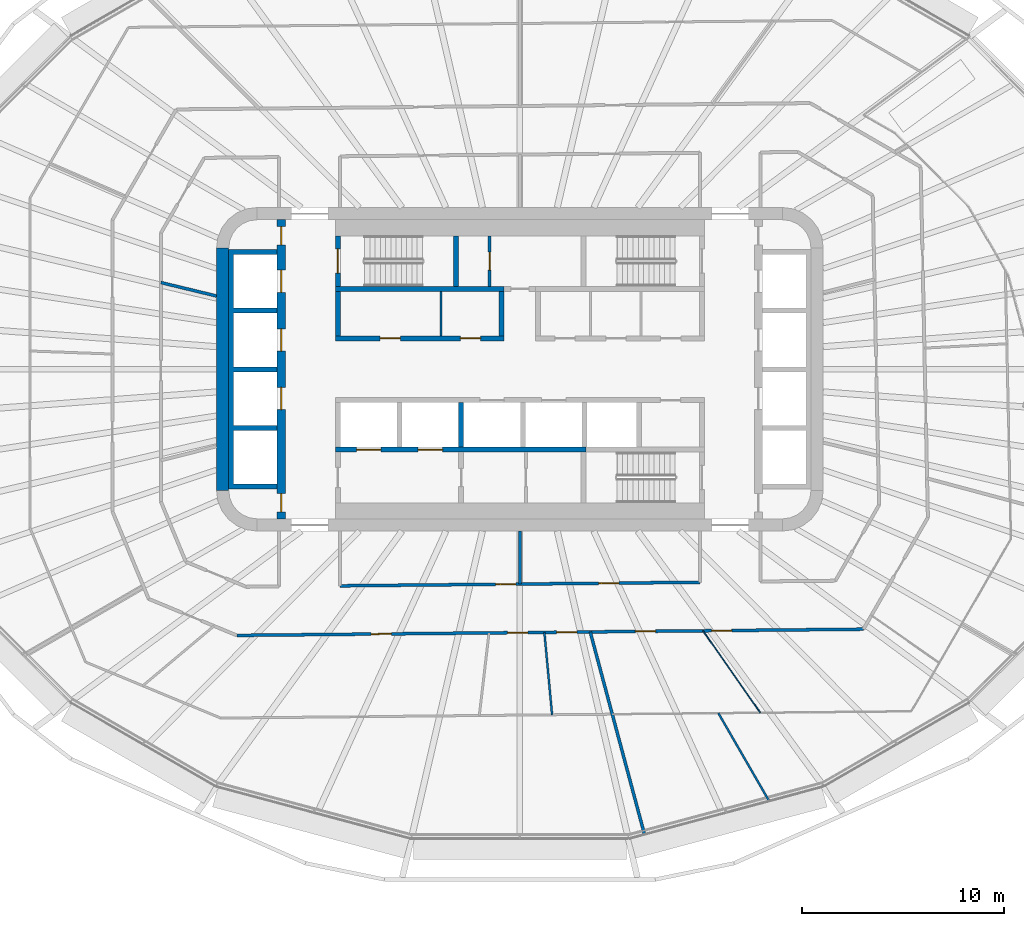
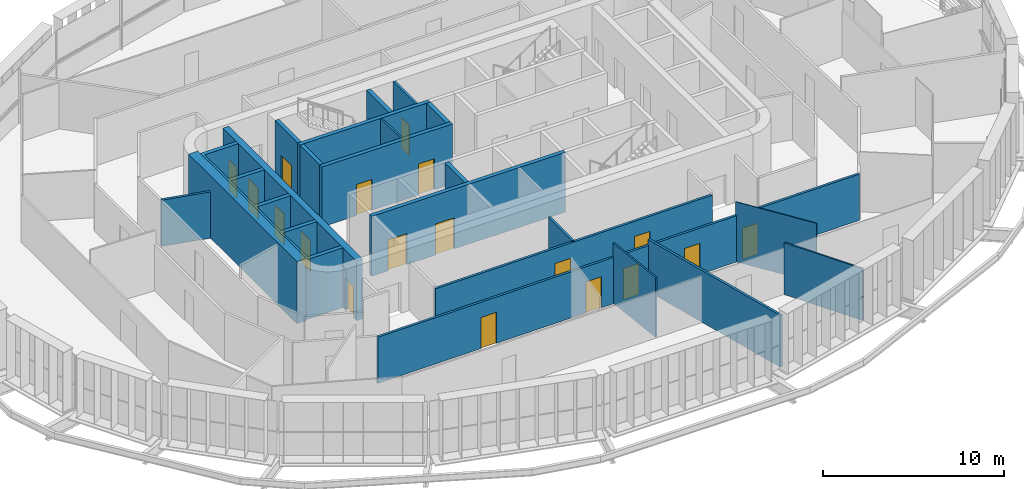
# One storey, part 13 of 24: 21 walls, 18 doors, 18 openings.
"""IFC4 building model written with IfcOpenShell, lengths in metres."""

import ifcopenshell
import ifcopenshell.guid

model = None  # the IFC model being written
_history = None  # IfcOwnerHistory: only IFC2X3 demands one
_inside = {}  # id of a spatial element -> (the spatial element, [elements in it])
_under = {}  # id of a project, library or spatial element -> (it, [spatial elements below it])
_declared = {}  # id of a project -> (the project, [libraries it declares])
_typed = {}  # id of a type object -> (the type object, [elements of that type])
_made_of = {}  # id of a material, layer set ... -> (it, [elements and type objects made of it])


def new_model(schema):
    """Start an empty IFC model of exactly this schema.

    Asked for "IFC4X3", IfcOpenShell would pick the latest addendum, in which some entities
    have other attributes; the version numbers below select the first issue.
    IFC2X3 requires an IfcOwnerHistory on every rooted entity: one is made here for all.
    """
    global model, _history
    if schema == "IFC4X3":
        model = ifcopenshell.file(schema_version=(4, 3, 0, 0))
    else:
        model = ifcopenshell.file(schema=schema)
    _inside.clear()
    _under.clear()
    _declared.clear()
    _typed.clear()
    _made_of.clear()
    _history = None
    if model.schema == "IFC2X3":
        org = make("IfcOrganization", Name="unknown")
        user = make(
            "IfcPersonAndOrganization",
            ThePerson=make("IfcPerson", FamilyName="unknown"),
            TheOrganization=org,
        )
        app = make(
            "IfcApplication",
            ApplicationDeveloper=org,
            Version="unknown",
            ApplicationFullName="unknown",
            ApplicationIdentifier="unknown",
        )
        _history = make(
            "IfcOwnerHistory",
            OwningUser=user,
            OwningApplication=app,
            ChangeAction="ADDED",
            CreationDate=0,
        )
    return model


def make(cls, **values):
    """One entity of the class cls with the attributes given. An attribute that is None is left unset."""
    return model.create_entity(
        cls, **{name: value for name, value in values.items() if value is not None}
    )


def rooted(cls, **values):
    """An entity with a GlobalId (a new one), such as an element, a storey or a relation."""
    return make(cls, GlobalId=ifcopenshell.guid.new(), OwnerHistory=_history, **values)


def si_unit(unit_type, name, prefix=None):
    """IfcSIUnit, for example si_unit("LENGTHUNIT", "METRE", prefix="MILLI")."""
    return make("IfcSIUnit", UnitType=unit_type, Prefix=prefix, Name=name)


def assignment(units):
    """IfcUnitAssignment: the units of a project."""
    return None if units is None else make("IfcUnitAssignment", Units=units)


def point(xyz):
    """IfcCartesianPoint."""
    return None if xyz is None else make("IfcCartesianPoint", Coordinates=xyz)


def direction(xyz):
    """IfcDirection."""
    return None if xyz is None else make("IfcDirection", DirectionRatios=xyz)


def frame(location, z_axis=None, x_axis=None):
    """IfcAxis2Placement3D, a coordinate frame: its origin and axes. An axis left out is left unset."""
    return make(
        "IfcAxis2Placement3D",
        Location=point(location),
        Axis=direction(z_axis),
        RefDirection=direction(x_axis),
    )


def frame_2d(location, x_axis=None):
    """IfcAxis2Placement2D, a coordinate frame in the plane: its origin and x axis."""
    return make(
        "IfcAxis2Placement2D", Location=point(location), RefDirection=direction(x_axis)
    )


def origin():
    """The frame at (0, 0, 0) with its axes left unset."""
    return frame((0.0, 0.0, 0.0))


def place(relative_to, where):
    """IfcLocalPlacement: puts the frame where relative to a parent placement (None: the world)."""
    return make(
        "IfcLocalPlacement", PlacementRelTo=relative_to, RelativePlacement=where
    )


def context(
    kind, dimensions, precision=None, world=None, true_north=None, identifier=None
):
    """IfcGeometricRepresentationContext, for example the 3D "Model" context."""
    return make(
        "IfcGeometricRepresentationContext",
        ContextIdentifier=identifier,
        ContextType=kind,
        CoordinateSpaceDimension=dimensions,
        Precision=precision,
        WorldCoordinateSystem=world,
        TrueNorth=true_north,
    )


def subcontext(parent, identifier, kind, view, scale=None):
    """IfcGeometricRepresentationSubContext, for example "Body" below "Model"."""
    return make(
        "IfcGeometricRepresentationSubContext",
        ContextIdentifier=identifier,
        ContextType=kind,
        ParentContext=parent,
        TargetScale=scale,
        TargetView=view,
    )


def project(units=None, contexts=None):
    """IfcProject with its units and contexts."""
    return rooted(
        "IfcProject",
        Name="project",
        RepresentationContexts=contexts,
        UnitsInContext=assignment(units),
    )


def spatial(cls, under=None, at=None, **own):
    """A site, building, storey or space (cls), placed at a placement, below another one or the project."""
    s = rooted(cls, ObjectPlacement=at, **own)
    if under is not None:
        _under.setdefault(under.id(), (under, []))[1].append(s)
    return s


def polyline(points):
    """IfcPolyline through the points."""
    return make("IfcPolyline", Points=[point(p) for p in points])


def profile(cls, at=None, kind="AREA", **sizes):
    """A parametric profile (cls). Its sizes go by their IFC names, for example OverallWidth=200.0."""
    return make(cls, ProfileType=kind, Position=at, **sizes)


def rectangle(**sizes):
    """IfcRectangleProfileDef."""
    return profile("IfcRectangleProfileDef", **sizes)


def outline(outer, holes=None, kind="AREA"):
    """IfcArbitraryClosedProfileDef: a profile drawn as a closed curve; with holes, ...WithVoids."""
    if holes is None:
        return make("IfcArbitraryClosedProfileDef", ProfileType=kind, OuterCurve=outer)
    return make(
        "IfcArbitraryProfileDefWithVoids",
        ProfileType=kind,
        OuterCurve=outer,
        InnerCurves=holes,
    )


def extrude(swept, where, along, depth):
    """IfcExtrudedAreaSolid: the profile swept, set in the frame where, extruded along a direction by depth."""
    return make(
        "IfcExtrudedAreaSolid",
        SweptArea=swept,
        Position=where,
        ExtrudedDirection=direction(along),
        Depth=depth,
    )


def shape(context_of_items, identifier, shape_type, items):
    """IfcShapeRepresentation: the items that make up one representation, for example the "Body"."""
    return make(
        "IfcShapeRepresentation",
        ContextOfItems=context_of_items,
        RepresentationIdentifier=identifier,
        RepresentationType=shape_type,
        Items=items,
    )


def material(Name=None, Category=None):
    """IfcMaterial."""
    return make("IfcMaterial", Name=Name, Category=Category)


def layer(
    of_material, thickness, ventilated=None, Name=None, Category=None, Priority=None
):
    """IfcMaterialLayer: one layer of a wall or slab, of a material (None: an air gap)."""
    return make(
        "IfcMaterialLayer",
        Material=of_material,
        LayerThickness=thickness,
        IsVentilated=ventilated,
        Name=Name,
        Category=Category,
        Priority=Priority,
    )


def layer_set(layers, Name=None):
    """IfcMaterialLayerSet."""
    return make("IfcMaterialLayerSet", MaterialLayers=layers, LayerSetName=Name)


def made_of(thing, what):
    """Note that an element or type object is made of a material, layer set ...; save() writes the relation."""
    if what is not None:
        _made_of.setdefault(what.id(), (what, []))[1].append(thing)
    return thing


def type_object(cls, material=None, **own):
    """A type object (cls), such as IfcWallType, which elements share."""
    return made_of(rooted(cls, **own), material)


def element(
    cls,
    number,
    at=None,
    inside=None,
    cuts=None,
    type_object=None,
    material=None,
    context=None,
    identifier="Body",
    shape_type=None,
    held_by="IfcProductDefinitionShape",
    body=None,
    shapes=None,
    **own,
):
    """One element of the class cls, such as IfcWall. Its Tag is "e" and its number.

    at: its placement. inside: the storey or other place that contains it. cuts: it is an
    opening in that element (IfcRelVoidsElement). A single representation is given by context,
    identifier, shape_type and body (its items); several are given by shapes. held_by: the class
    of the entity that holds the representations. save() writes the other relations.
    """
    e = rooted(cls, Tag="e%d" % number, ObjectPlacement=at, **own)
    if body is not None:
        shapes = [shape(context, identifier, shape_type, body)]
    if shapes is not None:
        e.Representation = make(held_by, Representations=shapes)
    if inside is not None:
        _inside.setdefault(inside.id(), (inside, []))[1].append(e)
    if cuts is not None:
        rooted(
            "IfcRelVoidsElement", RelatingBuildingElement=cuts, RelatedOpeningElement=e
        )
    if type_object is not None:
        _typed.setdefault(type_object.id(), (type_object, []))[1].append(e)
    return made_of(e, material)


def fill(opening, filler):
    """IfcRelFillsElement: the door or window that sits in an opening."""
    return rooted(
        "IfcRelFillsElement",
        RelatingOpeningElement=opening,
        RelatedBuildingElement=filler,
    )


def aggregate(whole, parts):
    """IfcRelAggregates: a whole, such as a stair, and the parts it consists of."""
    return rooted("IfcRelAggregates", RelatingObject=whole, RelatedObjects=parts)


def save(model, path):
    """Write the relations noted so far, then the file.

    IfcRelAggregates (storeys below a building ...), IfcRelContainedInSpatialStructure (elements
    in a storey), IfcRelDefinesByType, IfcRelAssociatesMaterial and IfcRelDeclares: one each for
    every whole, place, type object, material and project.
    """
    for whole, parts in _under.values():
        aggregate(whole, parts)
    for where, things in _inside.values():
        rooted(
            "IfcRelContainedInSpatialStructure",
            RelatedElements=things,
            RelatingStructure=where,
        )
    for kind, things in _typed.values():
        rooted("IfcRelDefinesByType", RelatedObjects=things, RelatingType=kind)
    for what, things in _made_of.values():
        rooted("IfcRelAssociatesMaterial", RelatedObjects=things, RelatingMaterial=what)
    for by, libraries in _declared.values():
        rooted("IfcRelDeclares", RelatingContext=by, RelatedDefinitions=libraries)
    model.write(path)


model = new_model("IFC4")

# Units and contexts
model_context = context("Model", 3, precision=1e-05, world=origin(), true_north=direction((0.0, 1.0)))
body_context = subcontext(model_context, "Body", "Model", "MODEL_VIEW")
ifc_project = project(units=[si_unit("LENGTHUNIT", "METRE"), si_unit("AREAUNIT", "SQUARE_METRE"), si_unit("VOLUMEUNIT", "CUBIC_METRE"), si_unit("PLANEANGLEUNIT", "RADIAN"), si_unit("MASSUNIT", "GRAM", prefix="KILO")], contexts=[model_context])

# Site, building, storey
site_placement = place(None, origin())
site = spatial("IfcSite", under=ifc_project, at=site_placement, CompositionType="ELEMENT")
building_placement = place(site_placement, origin())
building = spatial("IfcBuilding", under=site, at=building_placement, Name="Sahrelin Media Tower", CompositionType="ELEMENT")
storey_placement = place(building_placement, frame((0.0, 0.0, 67.199951171875)))
storey = spatial("IfcBuildingStorey", under=building, at=storey_placement, Name="L11", CompositionType="ELEMENT", Elevation=67.199951171875)

# Wall
ifc_material_1 = material(Name="Concrete C60/75", Category="concrete")
ifc_layer_1 = layer(ifc_material_1, 0.60009765625)
ifc_layer_set_1 = layer_set([ifc_layer_1], Name="Core wall 600")
wall_type_1 = type_object("IfcWallType", Name="Core wall 600", PredefinedType="SHEAR", material=ifc_layer_set_1)
wall_1_placement = place(storey_placement, frame((-14.699951171875, -6.0, 0.0), z_axis=(0.0, 0.0, 1.0), x_axis=(0.0, 1.0, 0.0)))
element("IfcWall", 1, at=wall_1_placement, inside=storey, type_object=wall_type_1, Name="Core wall W L11", PredefinedType="SHEAR", context=body_context, shape_type="SweptSolid", body=[
    extrude(rectangle(XDim=12.0, YDim=0.60009765625, at=frame_2d((6.0, 0.0))), origin(), (0.0, 0.0, 1.0), 4.199951171875),
])

# Wall, openings, doors
ifc_material_2 = material(Name="Fire-rated gypsum board partition")
ifc_layer_2 = layer(ifc_material_2, 0.25)
ifc_layer_set_2 = layer_set([ifc_layer_2], Name="Fire-rated lobby wall 250")
wall_type_2 = type_object("IfcWallType", Name="Fire-rated lobby wall 250", PredefinedType="PARTITIONING", material=ifc_layer_set_2)
wall_2_placement = place(storey_placement, frame((-9.125, 1.52490234375, 0.0), z_axis=(0.0, 0.0, 1.0), x_axis=(1.0, 0.0, 0.0)))
wall_2 = element("IfcWall", 2, at=wall_2_placement, inside=storey, type_object=wall_type_2, Name="Core lobby wall", PredefinedType="PARTITIONING", context=body_context, shape_type="SweptSolid", body=[
    extrude(rectangle(XDim=8.35009765625, YDim=0.25, at=frame_2d((4.175048828125, 0.0))), origin(), (0.0, 0.0, 1.0), 4.050048828125),
])
opening_1_placement = place(wall_2_placement, frame((2.21240234375, 0.0, 0.0)))
opening_1 = element("IfcOpeningElement", 3, at=opening_1_placement, cuts=wall_2, Name="Opening L11-D09", PredefinedType="OPENING", context=body_context, shape_type="SweptSolid", body=[
    extrude(rectangle(XDim=1.0, YDim=2.10009765625, at=frame_2d((0.5, 1.050048828125))), frame((0.0, 0.125, 0.0), z_axis=(0.0, -1.0, 0.0), x_axis=(1.0, 0.0, 0.0)), (0.0, 0.0, 1.0), 0.25),
])
opening_2_placement = place(wall_2_placement, frame((6.1875, 0.0, 0.0)))
opening_2 = element("IfcOpeningElement", 4, at=opening_2_placement, cuts=wall_2, Name="Opening L11-D10", PredefinedType="OPENING", context=body_context, shape_type="SweptSolid", body=[
    extrude(rectangle(XDim=1.0, YDim=2.10009765625, at=frame_2d((0.5, 1.050048828125))), frame((0.0, 0.125, 0.0), z_axis=(0.0, -1.0, 0.0), x_axis=(1.0, 0.0, 0.0)), (0.0, 0.0, 1.0), 0.25),
])
ifc_material_3 = material(Name="Steel fire door leaf", Category="steel")
door_type_1 = type_object("IfcDoorType", Name="Fire door 1000 x 2100 EI 60", OperationType="NOTDEFINED", PredefinedType="DOOR", material=ifc_material_3)
door_1_placement = place(opening_1_placement, origin())
door_1 = element("IfcDoor", 5, at=door_1_placement, inside=storey, type_object=door_type_1, Name="Core room door", OperationType="SINGLE_SWING_LEFT", OverallHeight=2.10009765625, OverallWidth=1.0, PredefinedType="DOOR", context=body_context, shape_type="SweptSolid", body=[
    extrude(rectangle(XDim=1.0, YDim=2.10009765625, at=frame_2d((0.5, 1.050048828125))), frame((0.0, 0.02490234375, 0.0), z_axis=(0.0, -1.0, 0.0), x_axis=(1.0, 0.0, 0.0)), (0.0, 0.0, 1.0), 0.050048828125),
])
fill(opening_1, door_1)
door_2_placement = place(opening_2_placement, origin())
door_2 = element("IfcDoor", 6, at=door_2_placement, inside=storey, type_object=door_type_1, Name="Core room door", OperationType="SINGLE_SWING_LEFT", OverallHeight=2.10009765625, OverallWidth=1.0, PredefinedType="DOOR", context=body_context, shape_type="SweptSolid", body=[
    extrude(rectangle(XDim=1.0, YDim=2.10009765625, at=frame_2d((0.5, 1.050048828125))), frame((0.0, 0.02490234375, 0.0), z_axis=(0.0, -1.0, 0.0), x_axis=(1.0, 0.0, 0.0)), (0.0, 0.0, 1.0), 0.050048828125),
])
fill(opening_2, door_2)

# Walls
for number, where, z_axis, x_axis, name in (
    (7, (-9.0, 1.64990234375, 0.0), (0.0, 0.0, 1.0), (0.0, 1.0, 0.0), "Core lobby wall"),
    (8, (-0.89990234375, 1.64990234375, 0.0), (0.0, 0.0, 1.0), (0.0, 1.0, 0.0), "Core lobby wall"),
):
    element("IfcWall", number, at=place(storey_placement, frame(where, z_axis=z_axis, x_axis=x_axis)), inside=storey, type_object=wall_type_2, Name=name, PredefinedType="PARTITIONING", context=body_context, shape_type="SweptSolid", body=[
        extrude(rectangle(XDim=2.2001953125, YDim=0.25, at=frame_2d((1.10009765625, 0.0))), origin(), (0.0, 0.0, 1.0), 4.050048828125),
    ])
ifc_layer_3 = layer(ifc_material_2, 0.10009765625)
ifc_layer_set_3 = layer_set([ifc_layer_3], Name="Fire-rated partition 100")
wall_type_3 = type_object("IfcWallType", Name="Fire-rated partition 100", PredefinedType="PARTITIONING", material=ifc_layer_set_3)
wall_3_placement = place(storey_placement, frame((-3.89990234375, 1.64990234375, 0.0), z_axis=(0.0, 0.0, 1.0), x_axis=(0.0, 1.0, 0.0)))
element("IfcWall", 9, at=wall_3_placement, inside=storey, type_object=wall_type_3, Name="Core room partition", PredefinedType="PARTITIONING", context=body_context, shape_type="SweptSolid", body=[
    extrude(rectangle(XDim=2.2001953125, YDim=0.10009765625, at=frame_2d((1.10009765625, 0.0))), origin(), (0.0, 0.0, 1.0), 4.050048828125),
])

# Wall, opening, door
ifc_layer_4 = layer(ifc_material_2, 0.14990234375)
ifc_layer_set_4 = layer_set([ifc_layer_4], Name="Fire-rated partition 150")
wall_type_4 = type_object("IfcWallType", Name="Fire-rated partition 150", PredefinedType="PARTITIONING", material=ifc_layer_set_4)
wall_4_placement = place(storey_placement, frame((-1.5, 4.10009765625, 0.0), z_axis=(0.0, 0.0, 1.0), x_axis=(0.0, 1.0, 0.0)))
wall_4 = element("IfcWall", 10, at=wall_4_placement, inside=storey, type_object=wall_type_4, Name="Core room fire partition", PredefinedType="PARTITIONING", context=body_context, shape_type="SweptSolid", body=[
    extrude(rectangle(XDim=2.5, YDim=0.14990234375, at=frame_2d((1.25, 0.0))), origin(), (0.0, 0.0, 1.0), 4.050048828125),
])
opening_3_placement = place(wall_4_placement, frame((0.800048828125, 0.0, 0.0)))
opening_3 = element("IfcOpeningElement", 11, at=opening_3_placement, cuts=wall_4, Name="Opening L11-D07", PredefinedType="OPENING", context=body_context, shape_type="SweptSolid", body=[
    extrude(rectangle(XDim=0.89990234375, YDim=2.10009765625, at=frame_2d((0.449951171875, 1.050048828125))), frame((0.0, 0.074951171875, 0.0), z_axis=(0.0, -1.0, 0.0), x_axis=(1.0, 0.0, 0.0)), (0.0, 0.0, 1.0), 0.14990234375),
])
door_type_2 = type_object("IfcDoorType", Name="Fire door 900 x 2100 EI 60", OperationType="NOTDEFINED", PredefinedType="DOOR", material=ifc_material_3)
door_3_placement = place(opening_3_placement, origin())
door_3 = element("IfcDoor", 12, at=door_3_placement, inside=storey, type_object=door_type_2, Name="Core room door", OperationType="SINGLE_SWING_LEFT", OverallHeight=2.10009765625, OverallWidth=0.89990234375, PredefinedType="DOOR", context=body_context, shape_type="SweptSolid", body=[
    extrude(rectangle(XDim=0.89990234375, YDim=2.10009765625, at=frame_2d((0.449951171875, 1.050048828125))), frame((0.0, 0.02490234375, 0.0), z_axis=(0.0, -1.0, 0.0), x_axis=(1.0, 0.0, 0.0)), (0.0, 0.0, 1.0), 0.050048828125),
])
fill(opening_3, door_3)

# Walls
wall_5_placement = place(storey_placement, frame((3.47998046875, -12.987060546875, 0.0), z_axis=(0.0, 0.0, 1.0), x_axis=(0.25876666307, -0.96593986049, 0.0)))
element("IfcWall", 13, at=wall_5_placement, inside=storey, type_object=wall_type_4, Name="Wall", PredefinedType="PARTITIONING", context=body_context, shape_type="SweptSolid", body=[
    extrude(rectangle(XDim=10.37646484375, YDim=0.14990234375, at=frame_2d((5.188232421875, 0.0))), origin(), (0.0, 0.0, 1.0), 3.501708984375),
])
wall_6_placement = place(storey_placement, frame((-17.75, 4.2880859375, 0.0), z_axis=(0.0, 0.0, 1.0), x_axis=(0.972001384863, -0.234975121714, 0.0)))
element("IfcWall", 14, at=wall_6_placement, inside=storey, type_object=wall_type_4, Name="Wall", PredefinedType="PARTITIONING", context=body_context, shape_type="SweptSolid", body=[
    extrude(rectangle(XDim=2.8291015625, YDim=0.14990234375, at=frame_2d((1.41455078125, 0.0))), origin(), (0.0, 0.0, 1.0), 3.126953125),
])

# Wall, openings, doors
wall_7_placement = place(storey_placement, frame((-14.0, -13.159912109375, 0.0), z_axis=(0.0, 0.0, 1.0), x_axis=(0.999950971812, 0.009902220598, 0.0)))
wall_7 = element("IfcWall", 15, at=wall_7_placement, inside=storey, type_object=wall_type_4, Name="Wall", PredefinedType="PARTITIONING", context=body_context, shape_type="SweptSolid", body=[
    extrude(rectangle(XDim=30.991455078125, YDim=0.14990234375, at=frame_2d((15.49560546875, 0.0))), origin(), (0.0, 0.0, 1.0), 3.126953125),
])
opening_4_placement = place(wall_7_placement, frame((6.642822265625, 0.0, 0.0)))
opening_4 = element("IfcOpeningElement", 16, at=opening_4_placement, cuts=wall_7, Name="Opening L11-D38", PredefinedType="OPENING", context=body_context, shape_type="SweptSolid", body=[
    extrude(rectangle(XDim=1.0, YDim=2.10009765625, at=frame_2d((0.5, 1.050048828125))), frame((0.0, 0.074951171875, 0.0), z_axis=(0.0, -1.0, 0.0), x_axis=(1.0, 0.0, 0.0)), (0.0, 0.0, 1.0), 0.14990234375),
])
opening_5_placement = place(wall_7_placement, frame((13.3974609375, 0.0, 0.0)))
opening_5 = element("IfcOpeningElement", 17, at=opening_5_placement, cuts=wall_7, Name="Opening L11-D39", PredefinedType="OPENING", context=body_context, shape_type="SweptSolid", body=[
    extrude(rectangle(XDim=1.0, YDim=2.10009765625, at=frame_2d((0.5, 1.050048828125))), frame((0.0, 0.074951171875, 0.0), z_axis=(0.0, -1.0, 0.0), x_axis=(1.0, 0.0, 0.0)), (0.0, 0.0, 1.0), 0.14990234375),
])
opening_6_placement = place(wall_7_placement, frame((15.81640625, 0.0, 0.0)))
opening_6 = element("IfcOpeningElement", 18, at=opening_6_placement, cuts=wall_7, Name="Opening L11-D40", PredefinedType="OPENING", context=body_context, shape_type="SweptSolid", body=[
    extrude(rectangle(XDim=1.0, YDim=2.10009765625, at=frame_2d((0.5, 1.050048828125))), frame((0.0, 0.074951171875, 0.0), z_axis=(0.0, -1.0, 0.0), x_axis=(1.0, 0.0, 0.0)), (0.0, 0.0, 1.0), 0.14990234375),
])
opening_7_placement = place(wall_7_placement, frame((19.718017578125, 0.0, 0.0)))
opening_7 = element("IfcOpeningElement", 19, at=opening_7_placement, cuts=wall_7, Name="Opening L11-D42", PredefinedType="OPENING", context=body_context, shape_type="SweptSolid", body=[
    extrude(rectangle(XDim=1.0, YDim=2.10009765625, at=frame_2d((0.5, 1.050048828125))), frame((0.0, 0.074951171875, 0.0), z_axis=(0.0, -1.0, 0.0), x_axis=(1.0, 0.0, 0.0)), (0.0, 0.0, 1.0), 0.14990234375),
])
opening_8_placement = place(wall_7_placement, frame((23.4794921875, 0.0, 0.0)))
opening_8 = element("IfcOpeningElement", 20, at=opening_8_placement, cuts=wall_7, Name="Opening L11-D43", PredefinedType="OPENING", context=body_context, shape_type="SweptSolid", body=[
    extrude(rectangle(XDim=1.0, YDim=2.10009765625, at=frame_2d((0.5, 1.050048828125))), frame((0.0, 0.074951171875, 0.0), z_axis=(0.0, -1.0, 0.0), x_axis=(1.0, 0.0, 0.0)), (0.0, 0.0, 1.0), 0.14990234375),
])
door_4_placement = place(opening_4_placement, origin())
door_4 = element("IfcDoor", 21, at=door_4_placement, inside=storey, type_object=door_type_1, Name="Fire door", OperationType="SINGLE_SWING_LEFT", OverallHeight=2.10009765625, OverallWidth=1.0, PredefinedType="DOOR", context=body_context, shape_type="SweptSolid", body=[
    extrude(rectangle(XDim=1.0, YDim=2.10009765625, at=frame_2d((0.5, 1.050048828125))), frame((0.0, 0.02490234375, 0.0), z_axis=(0.0, -1.0, 0.0), x_axis=(1.0, 0.0, 0.0)), (0.0, 0.0, 1.0), 0.050048828125),
])
fill(opening_4, door_4)
door_5_placement = place(opening_5_placement, origin())
door_5 = element("IfcDoor", 22, at=door_5_placement, inside=storey, type_object=door_type_1, Name="Fire door", OperationType="SINGLE_SWING_RIGHT", OverallHeight=2.10009765625, OverallWidth=1.0, PredefinedType="DOOR", context=body_context, shape_type="SweptSolid", body=[
    extrude(rectangle(XDim=1.0, YDim=2.10009765625, at=frame_2d((0.5, 1.050048828125))), frame((0.0, 0.02490234375, 0.0), z_axis=(0.0, -1.0, 0.0), x_axis=(1.0, 0.0, 0.0)), (0.0, 0.0, 1.0), 0.050048828125),
])
fill(opening_5, door_5)
door_6_placement = place(opening_6_placement, origin())
door_6 = element("IfcDoor", 23, at=door_6_placement, inside=storey, type_object=door_type_1, Name="Fire door", OperationType="SINGLE_SWING_LEFT", OverallHeight=2.10009765625, OverallWidth=1.0, PredefinedType="DOOR", context=body_context, shape_type="SweptSolid", body=[
    extrude(rectangle(XDim=1.0, YDim=2.10009765625, at=frame_2d((0.5, 1.050048828125))), frame((0.0, 0.02490234375, 0.0), z_axis=(0.0, -1.0, 0.0), x_axis=(1.0, 0.0, 0.0)), (0.0, 0.0, 1.0), 0.050048828125),
])
fill(opening_6, door_6)
door_7_placement = place(opening_7_placement, origin())
door_7 = element("IfcDoor", 24, at=door_7_placement, inside=storey, type_object=door_type_1, Name="Fire door", OperationType="SINGLE_SWING_RIGHT", OverallHeight=2.10009765625, OverallWidth=1.0, PredefinedType="DOOR", context=body_context, shape_type="SweptSolid", body=[
    extrude(rectangle(XDim=1.0, YDim=2.10009765625, at=frame_2d((0.5, 1.050048828125))), frame((0.0, 0.02490234375, 0.0), z_axis=(0.0, -1.0, 0.0), x_axis=(1.0, 0.0, 0.0)), (0.0, 0.0, 1.0), 0.050048828125),
])
fill(opening_7, door_7)
door_8_placement = place(opening_8_placement, origin())
door_8 = element("IfcDoor", 25, at=door_8_placement, inside=storey, type_object=door_type_1, Name="Fire door", OperationType="SINGLE_SWING_LEFT", OverallHeight=2.10009765625, OverallWidth=1.0, PredefinedType="DOOR", context=body_context, shape_type="SweptSolid", body=[
    extrude(rectangle(XDim=1.0, YDim=2.10009765625, at=frame_2d((0.5, 1.050048828125))), frame((0.0, 0.02490234375, 0.0), z_axis=(0.0, -1.0, 0.0), x_axis=(1.0, 0.0, 0.0)), (0.0, 0.0, 1.0), 0.050048828125),
])
fill(opening_8, door_8)

wall_8_placement = place(storey_placement, frame((-8.89990234375, -10.708740234375, 0.0), z_axis=(0.0, 0.0, 1.0), x_axis=(0.999950969978, 0.009902405776, 0.0)))
wall_8 = element("IfcWall", 26, at=wall_8_placement, inside=storey, type_object=wall_type_4, Name="Wall", PredefinedType="PARTITIONING", context=body_context, shape_type="SweptSolid", body=[
    extrude(rectangle(XDim=17.80078125, YDim=0.14990234375, at=frame_2d((8.900390625, 0.0))), origin(), (0.0, 0.0, 1.0), 3.126953125),
])
opening_9_placement = place(wall_8_placement, frame((7.69970703125, 0.0, 0.0)))
opening_9 = element("IfcOpeningElement", 27, at=opening_9_placement, cuts=wall_8, Name="Opening L11-D23", PredefinedType="OPENING", context=body_context, shape_type="SweptSolid", body=[
    extrude(rectangle(XDim=1.0, YDim=2.10009765625, at=frame_2d((0.5, 1.050048828125))), frame((0.0, 0.074951171875, 0.0), z_axis=(0.0, -1.0, 0.0), x_axis=(1.0, 0.0, 0.0)), (0.0, 0.0, 1.0), 0.14990234375),
])
opening_10_placement = place(wall_8_placement, frame((12.80078125, 0.0, 0.0)))
opening_10 = element("IfcOpeningElement", 28, at=opening_10_placement, cuts=wall_8, Name="Opening L11-D24", PredefinedType="OPENING", context=body_context, shape_type="SweptSolid", body=[
    extrude(rectangle(XDim=1.0, YDim=2.10009765625, at=frame_2d((0.5, 1.050048828125))), frame((0.0, 0.074951171875, 0.0), z_axis=(0.0, -1.0, 0.0), x_axis=(1.0, 0.0, 0.0)), (0.0, 0.0, 1.0), 0.14990234375),
])
door_9_placement = place(opening_9_placement, origin())
door_9 = element("IfcDoor", 29, at=door_9_placement, inside=storey, type_object=door_type_1, Name="Fire door", OperationType="SINGLE_SWING_RIGHT", OverallHeight=2.10009765625, OverallWidth=1.0, PredefinedType="DOOR", context=body_context, shape_type="SweptSolid", body=[
    extrude(rectangle(XDim=1.0, YDim=2.10009765625, at=frame_2d((0.5, 1.050048828125))), frame((0.0, 0.02490234375, 0.0), z_axis=(0.0, -1.0, 0.0), x_axis=(1.0, 0.0, 0.0)), (0.0, 0.0, 1.0), 0.050048828125),
])
fill(opening_9, door_9)
door_10_placement = place(opening_10_placement, origin())
door_10 = element("IfcDoor", 30, at=door_10_placement, inside=storey, type_object=door_type_1, Name="Fire door", OperationType="SINGLE_SWING_RIGHT", OverallHeight=2.10009765625, OverallWidth=1.0, PredefinedType="DOOR", context=body_context, shape_type="SweptSolid", body=[
    extrude(rectangle(XDim=1.0, YDim=2.10009765625, at=frame_2d((0.5, 1.050048828125))), frame((0.0, 0.02490234375, 0.0), z_axis=(0.0, -1.0, 0.0), x_axis=(1.0, 0.0, 0.0)), (0.0, 0.0, 1.0), 0.050048828125),
])
fill(opening_10, door_10)

# Walls
wall_9_placement = place(storey_placement, frame((0.0, -10.6201171875, 0.0), z_axis=(0.0, 0.0, 1.0), x_axis=(0.0, 1.0, 0.0)))
element("IfcWall", 31, at=wall_9_placement, inside=storey, type_object=wall_type_4, Name="Wall", PredefinedType="PARTITIONING", context=body_context, shape_type="SweptSolid", body=[
    extrude(rectangle(XDim=2.6201171875, YDim=0.14990234375, at=frame_2d((1.31005859375, 0.0))), origin(), (0.0, 0.0, 1.0), 3.195068359375),
])
ifc_material_4 = material(Name="Clear glass", Category="glass")
ifc_layer_5 = layer(ifc_material_4, 0.050048828125)
ifc_layer_set_5 = layer_set([ifc_layer_5], Name="Glazed partition 50")
wall_type_5 = type_object("IfcWallType", Name="Glazed partition 50", PredefinedType="PARTITIONING", material=ifc_layer_set_5)
wall_10_placement = place(storey_placement, frame((9.054931640625, -12.931884765625, 0.0), z_axis=(0.0, 0.0, 1.0), x_axis=(0.57356502665, -0.819160033329, 0.0)))
element("IfcWall", 32, at=wall_10_placement, inside=storey, type_object=wall_type_5, Name="Wall", PredefinedType="PARTITIONING", context=body_context, shape_type="SweptSolid", body=[
    extrude(rectangle(XDim=4.946533203125, YDim=0.050048828125, at=frame_2d((2.47314453125, 0.0))), origin(), (0.0, 0.0, 1.0), 4.050048828125),
])

# Wall, openings, doors
ifc_layer_6 = layer(ifc_material_1, 0.25)
ifc_layer_set_6 = layer_set([ifc_layer_6], Name="Lift shaft wall 250")
wall_type_6 = type_object("IfcWallType", Name="Lift shaft wall 250", PredefinedType="SOLIDWALL", material=ifc_layer_set_6)
wall_11_placement = place(storey_placement, frame((-9.125, -3.97509765625, 0.0), z_axis=(0.0, 0.0, 1.0), x_axis=(1.0, 0.0, 0.0)))
wall_11 = element("IfcWall", 33, at=wall_11_placement, inside=storey, type_object=wall_type_6, Name="Lift shaft wall", PredefinedType="SOLIDWALL", context=body_context, shape_type="SweptSolid", body=[
    extrude(rectangle(XDim=12.39990234375, YDim=0.25, at=frame_2d((6.199951171875, 0.0))), origin(), (0.0, 0.0, 1.0), 4.050048828125),
])
opening_11_placement = place(wall_11_placement, frame((1.050048828125, 0.0, 0.0)))
opening_11 = element("IfcOpeningElement", 34, at=opening_11_placement, cuts=wall_11, Name="Opening L11-LD-FF1", PredefinedType="OPENING", context=body_context, shape_type="SweptSolid", body=[
    extrude(rectangle(XDim=1.199951171875, YDim=2.10009765625, at=frame_2d((0.60009765625, 1.050048828125))), frame((0.0, 0.125, 0.0), z_axis=(0.0, -1.0, 0.0), x_axis=(1.0, 0.0, 0.0)), (0.0, 0.0, 1.0), 0.25),
])
opening_12_placement = place(wall_11_placement, frame((4.10009765625, 0.0, 0.0)))
opening_12 = element("IfcOpeningElement", 35, at=opening_12_placement, cuts=wall_11, Name="Opening L11-LD-FF2", PredefinedType="OPENING", context=body_context, shape_type="SweptSolid", body=[
    extrude(rectangle(XDim=1.199951171875, YDim=2.10009765625, at=frame_2d((0.60009765625, 1.050048828125))), frame((0.0, 0.125, 0.0), z_axis=(0.0, -1.0, 0.0), x_axis=(1.0, 0.0, 0.0)), (0.0, 0.0, 1.0), 0.25),
])
ifc_material_5 = material(Name="Stainless steel", Category="steel")
door_type_3 = type_object("IfcDoorType", Name="Lift landing door 1200 x 2100 EI 120", OperationType="DOUBLE_DOOR_SLIDING", PredefinedType="DOOR", material=ifc_material_5)
door_11_placement = place(opening_11_placement, origin())
door_11 = element("IfcDoor", 36, at=door_11_placement, inside=storey, type_object=door_type_3, Name="Lift landing door FF1", OperationType="DOUBLE_DOOR_SLIDING", OverallHeight=2.10009765625, OverallWidth=1.199951171875, PredefinedType="DOOR", context=body_context, shape_type="SweptSolid", body=[
    extrude(rectangle(XDim=1.199951171875, YDim=2.10009765625, at=frame_2d((0.60009765625, 1.050048828125))), frame((0.0, 0.02490234375, 0.0), z_axis=(0.0, -1.0, 0.0), x_axis=(1.0, 0.0, 0.0)), (0.0, 0.0, 1.0), 0.050048828125),
])
fill(opening_11, door_11)
door_12_placement = place(opening_12_placement, origin())
door_12 = element("IfcDoor", 37, at=door_12_placement, inside=storey, type_object=door_type_3, Name="Lift landing door FF2", OperationType="DOUBLE_DOOR_SLIDING", OverallHeight=2.10009765625, OverallWidth=1.199951171875, PredefinedType="DOOR", context=body_context, shape_type="SweptSolid", body=[
    extrude(rectangle(XDim=1.199951171875, YDim=2.10009765625, at=frame_2d((0.60009765625, 1.050048828125))), frame((0.0, 0.02490234375, 0.0), z_axis=(0.0, -1.0, 0.0), x_axis=(1.0, 0.0, 0.0)), (0.0, 0.0, 1.0), 0.050048828125),
])
fill(opening_12, door_12)

# Walls
wall_12_placement = place(storey_placement, frame((-2.89990234375, -3.85009765625, 0.0), z_axis=(0.0, 0.0, 1.0), x_axis=(0.0, 1.0, 0.0)))
element("IfcWall", 38, at=wall_12_placement, inside=storey, type_object=wall_type_6, Name="Lift shaft wall", PredefinedType="SOLIDWALL", context=body_context, shape_type="SweptSolid", body=[
    extrude(rectangle(XDim=2.2001953125, YDim=0.25, at=frame_2d((1.10009765625, 0.0))), origin(), (0.0, 0.0, 1.0), 4.050048828125),
])
wall_13_placement = place(storey_placement, origin())
element("IfcWall", 39, at=wall_13_placement, inside=storey, type_object=wall_type_6, Name="Lift shaft wall", PredefinedType="SOLIDWALL", context=body_context, shape_type="SweptSolid", body=[
    extrude(outline(polyline([(-12.0, -5.925048828125), (-12.0, -5.675048828125), (-14.14990234375, -5.675048828125), (-14.14990234375, -3.02490234375), (-12.0, -3.02490234375), (-12.0, -2.77490234375), (-14.14990234375, -2.77490234375), (-14.14990234375, -0.125), (-12.0, -0.125), (-12.0, 0.125), (-14.14990234375, 0.125), (-14.14990234375, 2.77490234375), (-12.0, 2.77490234375), (-12.0, 3.02490234375), (-14.14990234375, 3.02490234375), (-14.14990234375, 5.675048828125), (-12.0, 5.675048828125), (-12.0, 5.925048828125), (-14.14990234375, 5.925048828125), (-14.39990234375, 5.925048828125), (-14.39990234375, 5.675048828125), (-14.39990234375, 3.02490234375), (-14.39990234375, 2.77490234375), (-14.39990234375, 0.125), (-14.39990234375, -0.125), (-14.39990234375, -2.77490234375), (-14.39990234375, -3.02490234375), (-14.39990234375, -5.675048828125), (-14.39990234375, -5.925048828125), (-14.14990234375, -5.925048828125), (-12.0, -5.925048828125)])), origin(), (0.0, 0.0, 1.0), 4.050048828125),
])

# Wall, openings, doors
ifc_layer_7 = layer(ifc_material_1, 0.39990234375)
ifc_layer_set_7 = layer_set([ifc_layer_7], Name="Lift shaft wall 400")
wall_type_7 = type_object("IfcWallType", Name="Lift shaft wall 400", PredefinedType="SOLIDWALL", material=ifc_layer_set_7)
wall_14_placement = place(storey_placement, frame((-11.800048828125, -7.39990234375, 0.0), z_axis=(0.0, 0.0, 1.0), x_axis=(0.0, 1.0, 0.0)))
wall_14 = element("IfcWall", 40, at=wall_14_placement, inside=storey, type_object=wall_type_7, Name="Lift shaft wall", PredefinedType="SOLIDWALL", context=body_context, shape_type="SweptSolid", body=[
    extrude(rectangle(XDim=14.7998046875, YDim=0.39990234375, at=frame_2d((7.39990234375, 0.0))), origin(), (0.0, 0.0, 1.0), 4.050048828125),
])
opening_13_placement = place(wall_14_placement, frame((11.199951171875, 0.0, 0.0)))
opening_13 = element("IfcOpeningElement", 41, at=opening_13_placement, cuts=wall_14, Name="Opening L11-LD-LR1", PredefinedType="OPENING", context=body_context, shape_type="SweptSolid", body=[
    extrude(rectangle(XDim=1.10009765625, YDim=2.10009765625, at=frame_2d((0.550048828125, 1.050048828125))), frame((0.0, 0.199951171875, 0.0), z_axis=(0.0, -1.0, 0.0), x_axis=(1.0, 0.0, 0.0)), (0.0, 0.0, 1.0), 0.39990234375),
])
opening_14_placement = place(wall_14_placement, frame((8.300048828125, 0.0, 0.0)))
opening_14 = element("IfcOpeningElement", 42, at=opening_14_placement, cuts=wall_14, Name="Opening L11-LD-LR2", PredefinedType="OPENING", context=body_context, shape_type="SweptSolid", body=[
    extrude(rectangle(XDim=1.10009765625, YDim=2.10009765625, at=frame_2d((0.550048828125, 1.050048828125))), frame((0.0, 0.199951171875, 0.0), z_axis=(0.0, -1.0, 0.0), x_axis=(1.0, 0.0, 0.0)), (0.0, 0.0, 1.0), 0.39990234375),
])
opening_15_placement = place(wall_14_placement, frame((5.39990234375, 0.0, 0.0)))
opening_15 = element("IfcOpeningElement", 43, at=opening_15_placement, cuts=wall_14, Name="Opening L11-LD-LR3", PredefinedType="OPENING", context=body_context, shape_type="SweptSolid", body=[
    extrude(rectangle(XDim=1.10009765625, YDim=2.10009765625, at=frame_2d((0.550048828125, 1.050048828125))), frame((0.0, 0.199951171875, 0.0), z_axis=(0.0, -1.0, 0.0), x_axis=(1.0, 0.0, 0.0)), (0.0, 0.0, 1.0), 0.39990234375),
])
opening_16_placement = place(wall_14_placement, frame((13.552490234375, 0.0, 0.0)))
opening_16 = element("IfcOpeningElement", 44, at=opening_16_placement, cuts=wall_14, Name="Opening L11-D15", PredefinedType="OPENING", context=body_context, shape_type="SweptSolid", body=[
    extrude(rectangle(XDim=0.89990234375, YDim=2.10009765625, at=frame_2d((0.449951171875, 1.050048828125))), frame((0.0, 0.199951171875, 0.0), z_axis=(0.0, -1.0, 0.0), x_axis=(1.0, 0.0, 0.0)), (0.0, 0.0, 1.0), 0.39990234375),
])
opening_17_placement = place(wall_14_placement, frame((0.347412109375, 0.0, 0.0)))
opening_17 = element("IfcOpeningElement", 45, at=opening_17_placement, cuts=wall_14, Name="Opening L11-D16", PredefinedType="OPENING", context=body_context, shape_type="SweptSolid", body=[
    extrude(rectangle(XDim=0.89990234375, YDim=2.10009765625, at=frame_2d((0.449951171875, 1.050048828125))), frame((0.0, 0.199951171875, 0.0), z_axis=(0.0, -1.0, 0.0), x_axis=(1.0, 0.0, 0.0)), (0.0, 0.0, 1.0), 0.39990234375),
])
door_type_4 = type_object("IfcDoorType", Name="Lift landing door 1100 x 2100 EI 120", OperationType="DOUBLE_DOOR_SLIDING", PredefinedType="DOOR", material=ifc_material_5)
door_13_placement = place(opening_13_placement, origin())
door_13 = element("IfcDoor", 46, at=door_13_placement, inside=storey, type_object=door_type_4, Name="Lift landing door LR1", OperationType="DOUBLE_DOOR_SLIDING", OverallHeight=2.10009765625, OverallWidth=1.10009765625, PredefinedType="DOOR", context=body_context, shape_type="SweptSolid", body=[
    extrude(rectangle(XDim=1.10009765625, YDim=2.10009765625, at=frame_2d((0.550048828125, 1.050048828125))), frame((0.0, 0.02490234375, 0.0), z_axis=(0.0, -1.0, 0.0), x_axis=(1.0, 0.0, 0.0)), (0.0, 0.0, 1.0), 0.050048828125),
])
fill(opening_13, door_13)
door_14_placement = place(opening_14_placement, origin())
door_14 = element("IfcDoor", 47, at=door_14_placement, inside=storey, type_object=door_type_4, Name="Lift landing door LR2", OperationType="DOUBLE_DOOR_SLIDING", OverallHeight=2.10009765625, OverallWidth=1.10009765625, PredefinedType="DOOR", context=body_context, shape_type="SweptSolid", body=[
    extrude(rectangle(XDim=1.10009765625, YDim=2.10009765625, at=frame_2d((0.550048828125, 1.050048828125))), frame((0.0, 0.02490234375, 0.0), z_axis=(0.0, -1.0, 0.0), x_axis=(1.0, 0.0, 0.0)), (0.0, 0.0, 1.0), 0.050048828125),
])
fill(opening_14, door_14)
door_15_placement = place(opening_15_placement, origin())
door_15 = element("IfcDoor", 48, at=door_15_placement, inside=storey, type_object=door_type_4, Name="Lift landing door LR3", OperationType="DOUBLE_DOOR_SLIDING", OverallHeight=2.10009765625, OverallWidth=1.10009765625, PredefinedType="DOOR", context=body_context, shape_type="SweptSolid", body=[
    extrude(rectangle(XDim=1.10009765625, YDim=2.10009765625, at=frame_2d((0.550048828125, 1.050048828125))), frame((0.0, 0.02490234375, 0.0), z_axis=(0.0, -1.0, 0.0), x_axis=(1.0, 0.0, 0.0)), (0.0, 0.0, 1.0), 0.050048828125),
])
fill(opening_15, door_15)
door_type_5 = type_object("IfcDoorType", Name="Riser door 900 x 2100 EI 120", OperationType="NOTDEFINED", PredefinedType="DOOR", material=ifc_material_3)
door_16_placement = place(opening_16_placement, origin())
door_16 = element("IfcDoor", 49, at=door_16_placement, inside=storey, type_object=door_type_5, Name="Riser door", OperationType="SINGLE_SWING_LEFT", OverallHeight=2.10009765625, OverallWidth=0.89990234375, PredefinedType="DOOR", context=body_context, shape_type="SweptSolid", body=[
    extrude(rectangle(XDim=0.89990234375, YDim=2.10009765625, at=frame_2d((0.449951171875, 1.050048828125))), frame((0.0, 0.02490234375, 0.0), z_axis=(0.0, -1.0, 0.0), x_axis=(1.0, 0.0, 0.0)), (0.0, 0.0, 1.0), 0.050048828125),
])
fill(opening_16, door_16)
door_17_placement = place(opening_17_placement, origin())
door_17 = element("IfcDoor", 50, at=door_17_placement, inside=storey, type_object=door_type_5, Name="Riser door", OperationType="SINGLE_SWING_LEFT", OverallHeight=2.10009765625, OverallWidth=0.89990234375, PredefinedType="DOOR", context=body_context, shape_type="SweptSolid", body=[
    extrude(rectangle(XDim=0.89990234375, YDim=2.10009765625, at=frame_2d((0.449951171875, 1.050048828125))), frame((0.0, 0.02490234375, 0.0), z_axis=(0.0, -1.0, 0.0), x_axis=(1.0, 0.0, 0.0)), (0.0, 0.0, 1.0), 0.050048828125),
])
fill(opening_17, door_17)

# Walls
ifc_material_6 = material(Name="Gypsum board partition")
ifc_layer_8 = layer(ifc_material_6, 0.10009765625)
ifc_layer_set_8 = layer_set([ifc_layer_8], Name="Partition 100")
wall_type_8 = type_object("IfcWallType", Name="Partition 100", PredefinedType="PARTITIONING", material=ifc_layer_set_8)
wall_15_placement = place(storey_placement, frame((1.212890625, -13.009033203125, 0.0), z_axis=(0.0, 0.0, 1.0), x_axis=(0.093072888435, -0.995659297872, 0.0)))
element("IfcWall", 51, at=wall_15_placement, inside=storey, type_object=wall_type_8, Name="Wall", PredefinedType="PARTITIONING", context=body_context, shape_type="SweptSolid", body=[
    extrude(rectangle(XDim=4.0947265625, YDim=0.10009765625, at=frame_2d((2.04736328125, 0.0))), origin(), (0.0, 0.0, 1.0), 4.050048828125),
])
wall_16_placement = place(storey_placement, frame((9.81689453125, -17.00390625, 0.0), z_axis=(0.0, 0.0, 1.0), x_axis=(0.500055912884, -0.865993120059, 0.0)))
element("IfcWall", 52, at=wall_16_placement, inside=storey, type_object=wall_type_8, Name="Wall", PredefinedType="PARTITIONING", context=body_context, shape_type="SweptSolid", body=[
    extrude(rectangle(XDim=5.02783203125, YDim=0.10009765625, at=frame_2d((2.513916015625, 0.0))), origin(), (0.0, 0.0, 1.0), 3.501708984375),
])

# Wall, opening, door
ifc_layer_9 = layer(ifc_material_1, 0.25)
ifc_layer_set_9 = layer_set([ifc_layer_9], Name="Stair enclosure wall 250")
wall_type_9 = type_object("IfcWallType", Name="Stair enclosure wall 250", PredefinedType="SOLIDWALL", material=ifc_layer_set_9)
wall_17_placement = place(storey_placement, frame((-9.0, 4.10009765625, 0.0), z_axis=(0.0, 0.0, 1.0), x_axis=(0.0, 1.0, 0.0)))
wall_17 = element("IfcWall", 53, at=wall_17_placement, inside=storey, type_object=wall_type_9, Name="Stair enclosure wall", PredefinedType="SOLIDWALL", context=body_context, shape_type="SweptSolid", body=[
    extrude(rectangle(XDim=2.5, YDim=0.25, at=frame_2d((1.25, 0.0))), origin(), (0.0, 0.0, 1.0), 4.050048828125),
])
opening_18_placement = place(wall_17_placement, frame((0.64990234375, 0.0, 0.0)))
opening_18 = element("IfcOpeningElement", 54, at=opening_18_placement, cuts=wall_17, Name="Opening L11-D01", PredefinedType="OPENING", context=body_context, shape_type="SweptSolid", body=[
    extrude(rectangle(XDim=1.199951171875, YDim=2.10009765625, at=frame_2d((0.60009765625, 1.050048828125))), frame((0.0, 0.125, 0.0), z_axis=(0.0, -1.0, 0.0), x_axis=(1.0, 0.0, 0.0)), (0.0, 0.0, 1.0), 0.25),
])
door_type_6 = type_object("IfcDoorType", Name="Stair door 1200 x 2100 EI 120", OperationType="NOTDEFINED", PredefinedType="DOOR", material=ifc_material_3)
door_18_placement = place(opening_18_placement, origin())
door_18 = element("IfcDoor", 55, at=door_18_placement, inside=storey, type_object=door_type_6, Name="Stair door ST1", OperationType="SINGLE_SWING_RIGHT", OverallHeight=2.10009765625, OverallWidth=1.199951171875, PredefinedType="DOOR", context=body_context, shape_type="SweptSolid", body=[
    extrude(rectangle(XDim=1.199951171875, YDim=2.10009765625, at=frame_2d((0.60009765625, 1.050048828125))), frame((0.0, 0.02490234375, 0.0), z_axis=(0.0, -1.0, 0.0), x_axis=(1.0, 0.0, 0.0)), (0.0, 0.0, 1.0), 0.050048828125),
])
fill(opening_18, door_18)

# Walls
wall_18_placement = place(storey_placement, frame((-3.14990234375, 4.10009765625, 0.0), z_axis=(0.0, 0.0, 1.0), x_axis=(0.0, 1.0, 0.0)))
element("IfcWall", 56, at=wall_18_placement, inside=storey, type_object=wall_type_9, Name="Stair enclosure wall", PredefinedType="SOLIDWALL", context=body_context, shape_type="SweptSolid", body=[
    extrude(rectangle(XDim=2.5, YDim=0.25, at=frame_2d((1.25, 0.0))), origin(), (0.0, 0.0, 1.0), 4.050048828125),
])
wall_19_placement = place(storey_placement, frame((-9.125, 3.97509765625, 0.0), z_axis=(0.0, 0.0, 1.0), x_axis=(1.0, 0.0, 0.0)))
element("IfcWall", 57, at=wall_19_placement, inside=storey, type_object=wall_type_9, Name="Stair enclosure wall", PredefinedType="SOLIDWALL", context=body_context, shape_type="SweptSolid", body=[
    extrude(rectangle(XDim=8.35009765625, YDim=0.25, at=frame_2d((4.175048828125, 0.0))), origin(), (0.0, 0.0, 1.0), 4.050048828125),
])

save(model, "model.ifc")
